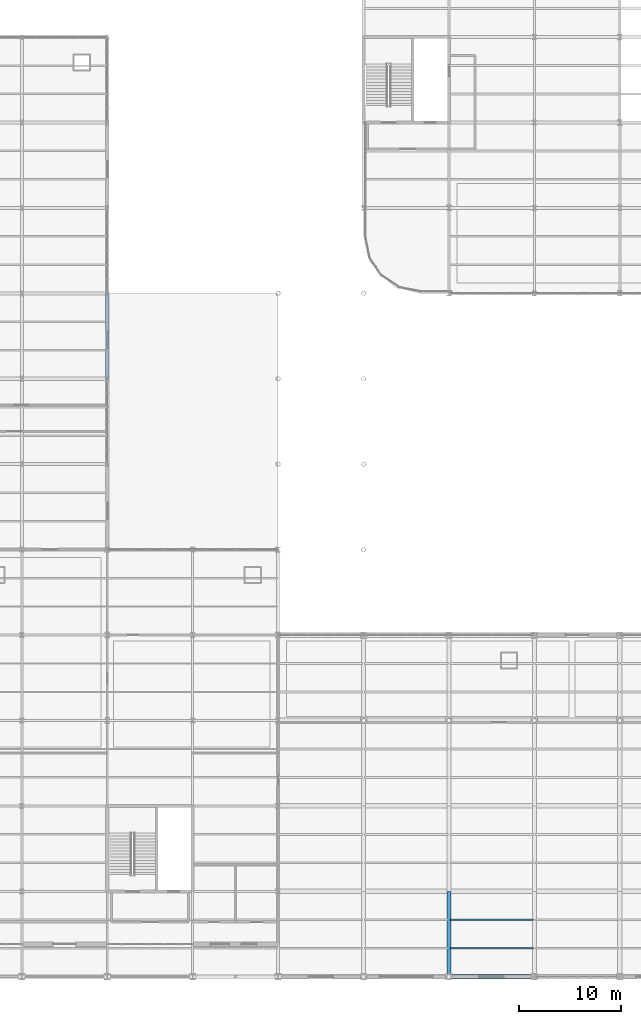
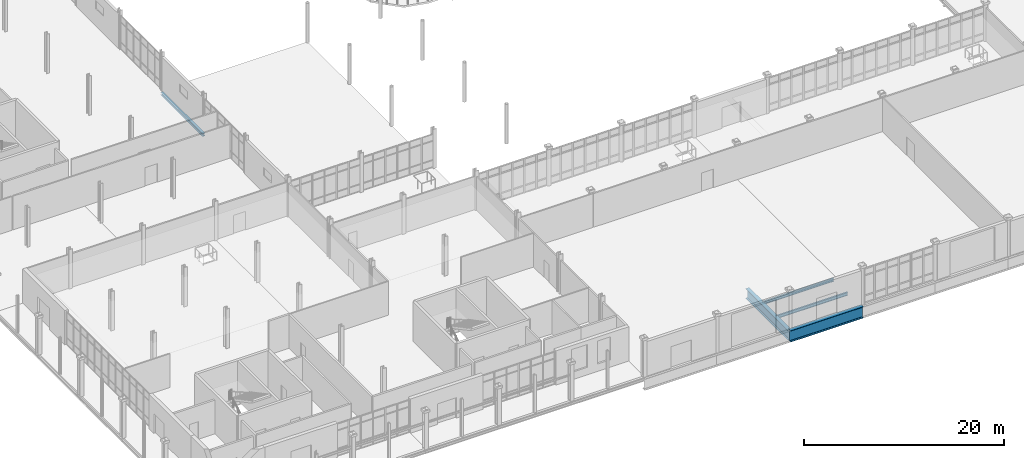
# One storey, part 45 of 145: 5 beams.
"""IFC4 building model written with IfcOpenShell, lengths in metres."""

from ifc_helpers import new_model, si_unit, direction, frame, origin, origin_2d, place, context, subcontext, project, spatial, i_section, extrude, material, material_profile, profile_set, type_object, element, save


model = new_model("IFC4")

# Units and contexts
model_context = context("Model", 3, precision=1e-05, world=origin(), true_north=direction((0.0, 1.0)))
body_context = subcontext(model_context, "Body", "Model", "MODEL_VIEW")
ifc_project = project(units=[si_unit("LENGTHUNIT", "METRE"), si_unit("AREAUNIT", "SQUARE_METRE"), si_unit("VOLUMEUNIT", "CUBIC_METRE"), si_unit("PLANEANGLEUNIT", "RADIAN"), si_unit("MASSUNIT", "GRAM", prefix="KILO")], contexts=[model_context])

# Site, building, storey
site_placement = place(None, origin())
site = spatial("IfcSite", under=ifc_project, at=site_placement, CompositionType="ELEMENT")
building_placement = place(site_placement, origin())
building = spatial("IfcBuilding", under=site, at=building_placement, Name="Qalvenar Corner Mobility Hub", CompositionType="ELEMENT")
storey_placement = place(building_placement, origin())
storey = spatial("IfcBuildingStorey", under=building, at=storey_placement, Name="L00", CompositionType="ELEMENT", Elevation=0.0)

# Beams
ifc_material = material(Name="Steel S355", Category="steel")
ifc_material_profile_1 = material_profile(ifc_material, i_section(OverallWidth=0.175048828125, OverallDepth=0.3798828125, WebThickness=0.00830078125, FlangeThickness=0.012939453125, FilletRadius=0.01806640625, at=origin_2d()), Name="IPE380-EQ")
ifc_profile_set_1 = profile_set([ifc_material_profile_1], Name="Steel S355")
beam_type_1 = type_object("IfcBeamType", Name="BM-JST380", PredefinedType="JOIST", material=ifc_profile_set_1)
for number, where, z_axis, x_axis, name in (
    (1, (67.278076171875, 2.800048828125, -0.43994140625), (1.0, 0.0, 0.0), (0.0, 1.0, 0.0), "Composite Floor Joist J-0208"),
    (2, (67.278076171875, 5.60009765625, -0.43994140625), (1.0, 0.0, 0.0), (0.0, 1.0, 0.0), "Composite Floor Joist J-0209"),
):
    element("IfcBeam", number, at=place(storey_placement, frame(where, z_axis=z_axis, x_axis=x_axis)), inside=storey, type_object=beam_type_1, Name=name, PredefinedType="JOIST", context=body_context, shape_type="SweptSolid", body=[
        extrude(i_section(OverallWidth=0.175048828125, OverallDepth=0.3798828125, WebThickness=0.00830078125, FlangeThickness=0.012939453125, FilletRadius=0.01806640625, at=origin_2d()), origin(), (0.0, 0.0, 1.0), 8.243896484375),
    ])
ifc_material_profile_2 = material_profile(ifc_material, i_section(OverallWidth=0.300048828125, OverallDepth=0.330078125, WebThickness=0.009521484375, FlangeThickness=0.0166015625, FilletRadius=0.027099609375, at=origin_2d()), Name="HEA340")
ifc_profile_set_2 = profile_set([ifc_material_profile_2], Name="Steel S355")
beam_type_2 = type_object("IfcBeamType", Name="BM-SPN340", PredefinedType="SPANDREL", material=ifc_profile_set_2)
beam_1_placement = place(storey_placement, frame((33.60009765625, 58.800048828125, -0.385009765625), z_axis=(0.0, 1.0, 0.0), x_axis=(-1.0, 0.0, 0.0)))
element("IfcBeam", 3, at=beam_1_placement, inside=storey, type_object=beam_type_2, Name="Primary Steel Girder GY-0473", PredefinedType="SPANDREL", context=body_context, shape_type="SweptSolid", body=[
    extrude(i_section(OverallWidth=0.300048828125, OverallDepth=0.330078125, WebThickness=0.009521484375, FlangeThickness=0.0166015625, FilletRadius=0.027099609375, at=origin_2d()), origin(), (0.0, 0.0, 1.0), 8.39990234375),
])
ifc_material_profile_3 = material_profile(ifc_material, i_section(OverallWidth=0.419921875, OverallDepth=1.199951171875, WebThickness=0.02197265625, FlangeThickness=0.0380859375, FilletRadius=0.02392578125, at=origin_2d()), Name="W1100x390-TG1200")
ifc_profile_set_3 = profile_set([ifc_material_profile_3], Name="Steel S355")
beam_type_3 = type_object("IfcBeamType", Name="BM-TG1200", PredefinedType="T_BEAM", material=ifc_profile_set_3)
beam_2_placement = place(storey_placement, frame((67.199951171875, 0.0, -0.85009765625), z_axis=(0.0, 1.0, 0.0), x_axis=(-1.0, 0.0, 0.0)))
element("IfcBeam", 4, at=beam_2_placement, inside=storey, type_object=beam_type_3, Name="Transfer Girder TG-0168", PredefinedType="T_BEAM", context=body_context, shape_type="SweptSolid", body=[
    extrude(i_section(OverallWidth=0.419921875, OverallDepth=1.199951171875, WebThickness=0.02197265625, FlangeThickness=0.0380859375, FilletRadius=0.02392578125, at=origin_2d()), origin(), (0.0, 0.0, 1.0), 8.39990234375),
])
ifc_material_profile_4 = material_profile(ifc_material, i_section(OverallWidth=0.449951171875, OverallDepth=1.39990234375, WebThickness=0.02587890625, FlangeThickness=0.0439453125, FilletRadius=0.02392578125, at=origin_2d()), Name="W1100x499-TG1400")
ifc_profile_set_4 = profile_set([ifc_material_profile_4], Name="Steel S355")
beam_type_4 = type_object("IfcBeamType", Name="BM-TG1400", PredefinedType="T_BEAM", material=ifc_profile_set_4)
beam_3_placement = place(storey_placement, frame((67.199951171875, 0.0, -0.949951171875), z_axis=(1.0, 0.0, 0.0), x_axis=(0.0, 1.0, 0.0)))
element("IfcBeam", 5, at=beam_3_placement, inside=storey, type_object=beam_type_4, Name="Transfer Girder TG-0131", PredefinedType="T_BEAM", context=body_context, shape_type="SweptSolid", body=[
    extrude(i_section(OverallWidth=0.449951171875, OverallDepth=1.39990234375, WebThickness=0.02587890625, FlangeThickness=0.0439453125, FilletRadius=0.02392578125, at=origin_2d()), origin(), (0.0, 0.0, 1.0), 8.400146484375),
])

save(model, "model.ifc")
